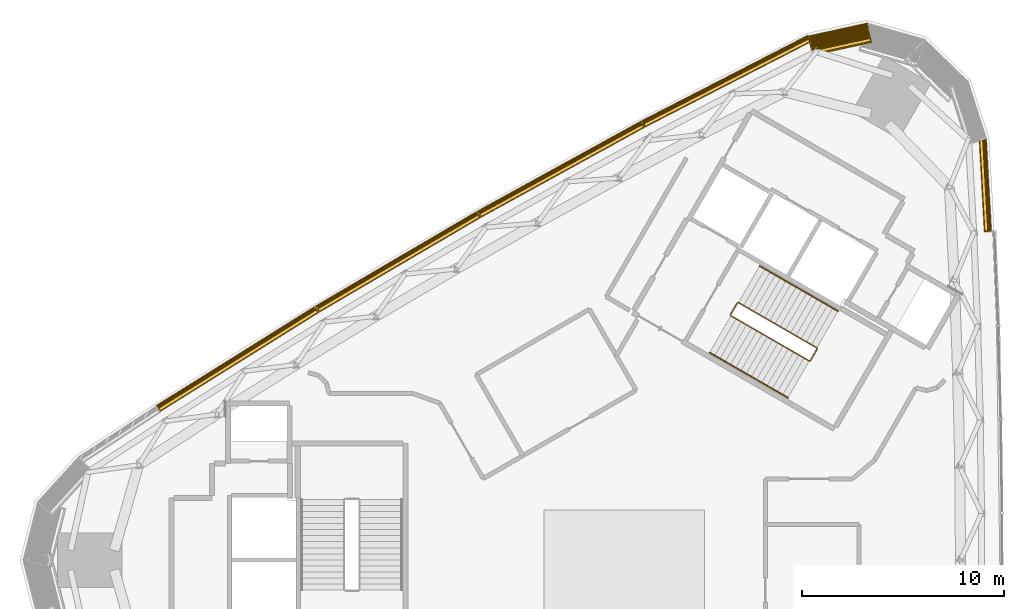
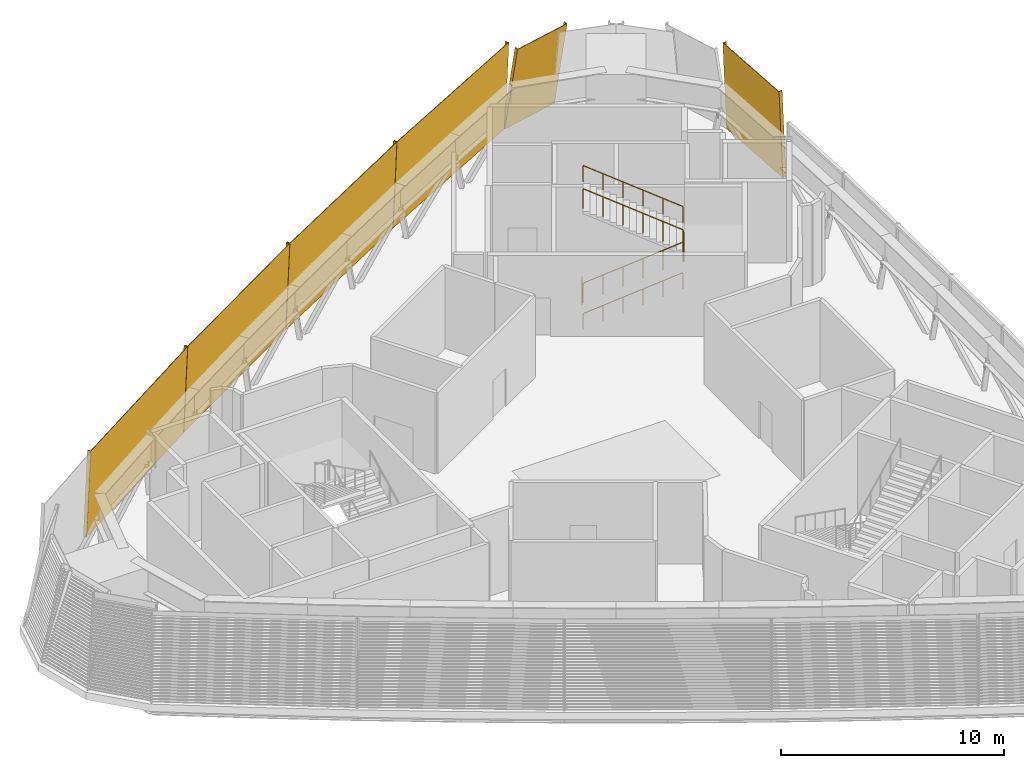
# One storey, part 17 of 18: 6 coverings, 3 railings.
"""IFC4 building model written with IfcOpenShell, lengths in metres."""

from ifc_helpers import new_model, si_unit, direction, frame, frame_2d, origin, origin_2d, place, context, subcontext, project, spatial, rectangle, circle, extrude, source, transform, mapped, material, type_object, element, save


model = new_model("IFC4")

# Units and contexts
model_context = context("Model", 3, precision=1e-05, world=origin(), true_north=direction((0.0, 1.0)))
body_context = subcontext(model_context, "Body", "Model", "MODEL_VIEW")
ifc_project = project(units=[si_unit("LENGTHUNIT", "METRE"), si_unit("AREAUNIT", "SQUARE_METRE"), si_unit("VOLUMEUNIT", "CUBIC_METRE"), si_unit("PLANEANGLEUNIT", "RADIAN"), si_unit("MASSUNIT", "GRAM", prefix="KILO")], contexts=[model_context])

# Site, building, storey
site_placement = place(None, origin())
site = spatial("IfcSite", under=ifc_project, at=site_placement, CompositionType="ELEMENT")
building_placement = place(site_placement, origin())
building = spatial("IfcBuilding", under=site, at=building_placement, Name="Tamra Quay Hotel Tower", CompositionType="ELEMENT")
storey_placement = place(building_placement, frame((0.0, 0.0, 211.60009765625)))
storey = spatial("IfcBuildingStorey", under=building, at=storey_placement, Name="L53", CompositionType="ELEMENT", Elevation=211.60009765625)

# Railings
ifc_material_1 = material(Name="Stair guard 1100")
railing_type_1 = type_object("IfcRailingType", Name="Stair guard 1100", PredefinedType="GUARDRAIL", material=ifc_material_1)
railing_1_placement = place(storey_placement, frame((5.595458984375, 12.751953125, 0.0)))
element("IfcRailing", 1, at=railing_1_placement, inside=storey, type_object=railing_type_1, Name="GR", PredefinedType="GUARDRAIL", context=body_context, shape_type="SweptSolid", body=[
    extrude(circle(Radius=0.02392578125, at=origin_2d()), frame((0.0, 0.0, 1.076171875), z_axis=(-0.499765215335, -0.866160914346, 0.0), x_axis=(0.866160914346, -0.499765215335, 0.0)), (0.0, 0.0, 1.0), 0.658935546875),
    extrude(circle(Radius=0.02392578125, at=origin_2d()), frame((-0.329345703125, -0.57080078125, 1.076171875), z_axis=(0.110525977783, -0.411156637351, 0.904839338113), x_axis=(0.965715946433, 0.259601060869, 0.0)), (0.0, 0.0, 1.0), 0.165771484375),
    extrude(circle(Radius=0.02392578125, at=origin_2d()), frame((-0.31103515625, -0.638916015625, 1.22607421875), z_axis=(0.774058831731, -0.446948546627, 0.448408208764), x_axis=(0.500038154266, 0.866003374288, 0.0)), (0.0, 0.0, 1.0), 5.017822265625),
    extrude(circle(Radius=0.02392578125, at=origin_2d()), frame((3.572998046875, -2.881591796875, 3.47607421875), z_axis=(0.965948051503, 0.258736085224, 0.0), x_axis=(-0.258736085224, 0.965948051503, 0.0)), (0.0, 0.0, 1.0), 0.07080078125),
    extrude(circle(Radius=0.02392578125, at=origin_2d()), frame((3.641357421875, -2.86328125, 3.47607421875), z_axis=(0.499765215335, 0.866160914346, 0.0), x_axis=(-0.866160914346, 0.499765215335, 0.0)), (0.0, 0.0, 1.0), 0.658935546875),
    extrude(circle(Radius=0.02392578125, at=origin_2d()), frame((3.970703125, -2.29248046875, 3.47607421875), z_axis=(-0.110458949641, 0.41238007866, 0.904290601062), x_axis=(-0.965948051503, -0.258736085224, 0.0)), (0.0, 0.0, 1.0), 0.165771484375),
    extrude(circle(Radius=0.02392578125, at=origin_2d()), frame((3.952392578125, -2.22412109375, 3.6259765625), z_axis=(-0.774075664405, 0.446909609502, 0.448417959844), x_axis=(-0.499997328569, -0.86602694613, 0.0)), (0.0, 0.0, 1.0), 5.017578125),
    extrude(circle(Radius=0.02099609375, at=origin_2d()), origin(), (0.0, 0.0, 1.0), 1.052001953125),
    extrude(circle(Radius=0.02099609375, at=origin_2d()), frame((-0.329345703125, -0.57080078125, 0.0)), (0.0, 0.0, 1.0), 1.052001953125),
    extrude(circle(Radius=0.02099609375, at=origin_2d()), frame((-0.31103515625, -0.638916015625, 0.14990234375)), (0.0, 0.0, 1.0), 1.052001953125),
    extrude(circle(Radius=0.02099609375, at=origin_2d()), frame((0.4658203125, -1.08740234375, 0.599853515625)), (0.0, 0.0, 1.0), 1.052001953125),
    extrude(circle(Radius=0.02099609375, at=origin_2d()), frame((1.24267578125, -1.535888671875, 1.0498046875)), (0.0, 0.0, 1.0), 1.052001953125),
    extrude(circle(Radius=0.02099609375, at=origin_2d()), frame((2.019287109375, -1.984619140625, 1.5)), (0.0, 0.0, 1.0), 1.052001953125),
    extrude(circle(Radius=0.02099609375, at=origin_2d()), frame((2.796142578125, -2.43310546875, 1.949951171875)), (0.0, 0.0, 1.0), 1.052001953125),
    extrude(circle(Radius=0.02099609375, at=origin_2d()), frame((3.572998046875, -2.881591796875, 2.39990234375)), (0.0, 0.0, 1.0), 1.052001953125),
    extrude(circle(Radius=0.02099609375, at=origin_2d()), frame((3.641357421875, -2.86328125, 2.39990234375)), (0.0, 0.0, 1.0), 1.052001953125),
    extrude(circle(Radius=0.02099609375, at=origin_2d()), frame((3.970703125, -2.29248046875, 2.39990234375)), (0.0, 0.0, 1.0), 1.052001953125),
    extrude(circle(Radius=0.02099609375, at=origin_2d()), frame((3.952392578125, -2.22412109375, 2.5498046875)), (0.0, 0.0, 1.0), 1.052001953125),
    extrude(circle(Radius=0.02099609375, at=origin_2d()), frame((3.175537109375, -1.775634765625, 2.999755859375)), (0.0, 0.0, 1.0), 1.052001953125),
    extrude(circle(Radius=0.02099609375, at=origin_2d()), frame((2.398681640625, -1.3271484375, 3.44970703125)), (0.0, 0.0, 1.0), 1.052001953125),
    extrude(circle(Radius=0.02099609375, at=origin_2d()), frame((1.6220703125, -0.878662109375, 3.89990234375)), (0.0, 0.0, 1.0), 1.052001953125),
    extrude(circle(Radius=0.02099609375, at=origin_2d()), frame((0.84521484375, -0.43017578125, 4.349853515625)), (0.0, 0.0, 1.0), 1.052001953125),
    extrude(circle(Radius=0.02099609375, at=origin_2d()), frame((0.068359375, 0.018310546875, 4.7998046875)), (0.0, 0.0, 1.0), 1.052001953125),
])
ifc_material_2 = material(Name="Stair handrail 900")
railing_type_2 = type_object("IfcRailingType", Name="Stair handrail 900", PredefinedType="HANDRAIL", material=ifc_material_2)
railing_2_placement = place(storey_placement, frame((4.234375, 10.294189453125, 0.14990234375)))
element("IfcRailing", 2, at=railing_2_placement, inside=storey, type_object=railing_type_2, Name="HR", PredefinedType="HANDRAIL", context=body_context, shape_type="SweptSolid", body=[
    extrude(circle(Radius=0.02392578125, at=origin_2d()), frame((0.0, 0.0, 0.8759765625), z_axis=(0.774075664405, -0.446909609502, 0.448417959844), x_axis=(0.499997328569, 0.86602694613, 0.0)), (0.0, 0.0, 1.0), 5.017578125),
    extrude(circle(Radius=0.02099609375, at=origin_2d()), origin(), (0.0, 0.0, 1.0), 0.851806640625),
    extrude(circle(Radius=0.02099609375, at=origin_2d()), frame((0.77685546875, -0.448486328125, 0.449951171875)), (0.0, 0.0, 1.0), 0.851806640625),
    extrude(circle(Radius=0.02099609375, at=origin_2d()), frame((1.5537109375, -0.89697265625, 0.89990234375)), (0.0, 0.0, 1.0), 0.851806640625),
    extrude(circle(Radius=0.02099609375, at=origin_2d()), frame((2.330322265625, -1.345458984375, 1.35009765625)), (0.0, 0.0, 1.0), 0.851806640625),
    extrude(circle(Radius=0.02099609375, at=origin_2d()), frame((3.107177734375, -1.7939453125, 1.800048828125)), (0.0, 0.0, 1.0), 0.851806640625),
    extrude(circle(Radius=0.02099609375, at=origin_2d()), frame((3.884033203125, -2.242431640625, 2.25)), (0.0, 0.0, 1.0), 0.851806640625),
])
railing_3_placement = place(storey_placement, frame((10.597900390625, 12.346435546875, 2.5498046875)))
element("IfcRailing", 3, at=railing_3_placement, inside=storey, type_object=railing_type_2, Name="HR", PredefinedType="HANDRAIL", context=body_context, shape_type="SweptSolid", body=[
    extrude(circle(Radius=0.02392578125, at=origin_2d()), frame((0.0, 0.0, 0.8759765625), z_axis=(-0.774075664405, 0.446909609502, 0.448417959844), x_axis=(-0.499997328569, -0.86602694613, 0.0)), (0.0, 0.0, 1.0), 5.017578125),
    extrude(circle(Radius=0.02099609375, at=origin_2d()), origin(), (0.0, 0.0, 1.0), 0.851806640625),
    extrude(circle(Radius=0.02099609375, at=origin_2d()), frame((-0.77685546875, 0.448486328125, 0.449951171875)), (0.0, 0.0, 1.0), 0.851806640625),
    extrude(circle(Radius=0.02099609375, at=origin_2d()), frame((-1.5537109375, 0.89697265625, 0.89990234375)), (0.0, 0.0, 1.0), 0.851806640625),
    extrude(circle(Radius=0.02099609375, at=origin_2d()), frame((-2.330322265625, 1.345458984375, 1.35009765625)), (0.0, 0.0, 1.0), 0.851806640625),
    extrude(circle(Radius=0.02099609375, at=origin_2d()), frame((-3.107177734375, 1.7939453125, 1.800048828125)), (0.0, 0.0, 1.0), 0.851806640625),
    extrude(circle(Radius=0.02099609375, at=origin_2d()), frame((-3.884033203125, 2.242431640625, 2.25)), (0.0, 0.0, 1.0), 0.851806640625),
])

# Coverings
ifc_material_3 = material(Name="Terracotta louvre panel", Category="masonry")
covering_type_1 = type_object("IfcCoveringType", Name="PLANT LOUVRE H4805", PredefinedType="USERDEFINED", material=ifc_material_3)
shared_shape_1 = source(origin(), body_context, "Body", "SweptSolid", [
    extrude(rectangle(XDim=4.6201171875, YDim=0.030029296875, at=frame_2d((2.31005859375, 0.01513671875))), frame((-2.31005859375, -0.030029296875, 0.0)), (0.0, 0.0, 1.0), 4.804931640625),
    extrude(rectangle(XDim=0.050048828125, YDim=0.139892578125, at=frame_2d((0.02490234375, 0.06982421875))), frame((-2.31005859375, -0.169921875, 0.0)), (0.0, 0.0, 1.0), 4.804931640625),
    extrude(rectangle(XDim=0.050048828125, YDim=0.139892578125, at=frame_2d((0.02490234375, 0.06982421875))), frame((2.260009765625, -0.169921875, 0.0)), (0.0, 0.0, 1.0), 4.804931640625),
    extrude(rectangle(XDim=4.52001953125, YDim=0.139892578125, at=frame_2d((2.260009765625, 0.06982421875))), frame((-2.260009765625, -0.169921875, 0.050048828125)), (0.0, 0.0, 1.0), 0.034912109375),
    extrude(rectangle(XDim=4.52001953125, YDim=0.139892578125, at=frame_2d((2.260009765625, 0.06982421875))), frame((-2.260009765625, -0.169921875, 0.2099609375)), (0.0, 0.0, 1.0), 0.034912109375),
    extrude(rectangle(XDim=4.52001953125, YDim=0.139892578125, at=frame_2d((2.260009765625, 0.06982421875))), frame((-2.260009765625, -0.169921875, 0.3701171875)), (0.0, 0.0, 1.0), 0.034912109375),
    extrude(rectangle(XDim=4.52001953125, YDim=0.139892578125, at=frame_2d((2.260009765625, 0.06982421875))), frame((-2.260009765625, -0.169921875, 0.530029296875)), (0.0, 0.0, 1.0), 0.034912109375),
    extrude(rectangle(XDim=4.52001953125, YDim=0.139892578125, at=frame_2d((2.260009765625, 0.06982421875))), frame((-2.260009765625, -0.169921875, 0.68994140625)), (0.0, 0.0, 1.0), 0.034912109375),
    extrude(rectangle(XDim=4.52001953125, YDim=0.139892578125, at=frame_2d((2.260009765625, 0.06982421875))), frame((-2.260009765625, -0.169921875, 0.85009765625)), (0.0, 0.0, 1.0), 0.034912109375),
    extrude(rectangle(XDim=4.52001953125, YDim=0.139892578125, at=frame_2d((2.260009765625, 0.06982421875))), frame((-2.260009765625, -0.169921875, 1.010009765625)), (0.0, 0.0, 1.0), 0.034912109375),
    extrude(rectangle(XDim=4.52001953125, YDim=0.139892578125, at=frame_2d((2.260009765625, 0.06982421875))), frame((-2.260009765625, -0.169921875, 1.169921875)), (0.0, 0.0, 1.0), 0.034912109375),
    extrude(rectangle(XDim=4.52001953125, YDim=0.139892578125, at=frame_2d((2.260009765625, 0.06982421875))), frame((-2.260009765625, -0.169921875, 1.330078125)), (0.0, 0.0, 1.0), 0.034912109375),
    extrude(rectangle(XDim=4.52001953125, YDim=0.139892578125, at=frame_2d((2.260009765625, 0.06982421875))), frame((-2.260009765625, -0.169921875, 1.489990234375)), (0.0, 0.0, 1.0), 0.034912109375),
    extrude(rectangle(XDim=4.52001953125, YDim=0.139892578125, at=frame_2d((2.260009765625, 0.06982421875))), frame((-2.260009765625, -0.169921875, 1.64990234375)), (0.0, 0.0, 1.0), 0.034912109375),
    extrude(rectangle(XDim=4.52001953125, YDim=0.139892578125, at=frame_2d((2.260009765625, 0.06982421875))), frame((-2.260009765625, -0.169921875, 1.81005859375)), (0.0, 0.0, 1.0), 0.034912109375),
    extrude(rectangle(XDim=4.52001953125, YDim=0.139892578125, at=frame_2d((2.260009765625, 0.06982421875))), frame((-2.260009765625, -0.169921875, 1.969970703125)), (0.0, 0.0, 1.0), 0.034912109375),
    extrude(rectangle(XDim=4.52001953125, YDim=0.139892578125, at=frame_2d((2.260009765625, 0.06982421875))), frame((-2.260009765625, -0.169921875, 2.1298828125)), (0.0, 0.0, 1.0), 0.034912109375),
    extrude(rectangle(XDim=4.52001953125, YDim=0.139892578125, at=frame_2d((2.260009765625, 0.06982421875))), frame((-2.260009765625, -0.169921875, 2.2900390625)), (0.0, 0.0, 1.0), 0.034912109375),
    extrude(rectangle(XDim=4.52001953125, YDim=0.139892578125, at=frame_2d((2.260009765625, 0.06982421875))), frame((-2.260009765625, -0.169921875, 2.449951171875)), (0.0, 0.0, 1.0), 0.034912109375),
    extrude(rectangle(XDim=4.52001953125, YDim=0.139892578125, at=frame_2d((2.260009765625, 0.06982421875))), frame((-2.260009765625, -0.169921875, 2.610107421875)), (0.0, 0.0, 1.0), 0.034912109375),
    extrude(rectangle(XDim=4.52001953125, YDim=0.139892578125, at=frame_2d((2.260009765625, 0.06982421875))), frame((-2.260009765625, -0.169921875, 2.77001953125)), (0.0, 0.0, 1.0), 0.034912109375),
    extrude(rectangle(XDim=4.52001953125, YDim=0.139892578125, at=frame_2d((2.260009765625, 0.06982421875))), frame((-2.260009765625, -0.169921875, 2.929931640625)), (0.0, 0.0, 1.0), 0.034912109375),
    extrude(rectangle(XDim=4.52001953125, YDim=0.139892578125, at=frame_2d((2.260009765625, 0.06982421875))), frame((-2.260009765625, -0.169921875, 3.090087890625)), (0.0, 0.0, 1.0), 0.034912109375),
    extrude(rectangle(XDim=4.52001953125, YDim=0.139892578125, at=frame_2d((2.260009765625, 0.06982421875))), frame((-2.260009765625, -0.169921875, 3.25)), (0.0, 0.0, 1.0), 0.034912109375),
    extrude(rectangle(XDim=4.52001953125, YDim=0.139892578125, at=frame_2d((2.260009765625, 0.06982421875))), frame((-2.260009765625, -0.169921875, 3.409912109375)), (0.0, 0.0, 1.0), 0.034912109375),
    extrude(rectangle(XDim=4.52001953125, YDim=0.139892578125, at=frame_2d((2.260009765625, 0.06982421875))), frame((-2.260009765625, -0.169921875, 3.570068359375)), (0.0, 0.0, 1.0), 0.034912109375),
    extrude(rectangle(XDim=4.52001953125, YDim=0.139892578125, at=frame_2d((2.260009765625, 0.06982421875))), frame((-2.260009765625, -0.169921875, 3.72998046875)), (0.0, 0.0, 1.0), 0.034912109375),
    extrude(rectangle(XDim=4.52001953125, YDim=0.139892578125, at=frame_2d((2.260009765625, 0.06982421875))), frame((-2.260009765625, -0.169921875, 3.889892578125)), (0.0, 0.0, 1.0), 0.034912109375),
    extrude(rectangle(XDim=4.52001953125, YDim=0.139892578125, at=frame_2d((2.260009765625, 0.06982421875))), frame((-2.260009765625, -0.169921875, 4.050048828125)), (0.0, 0.0, 1.0), 0.034912109375),
    extrude(rectangle(XDim=4.52001953125, YDim=0.139892578125, at=frame_2d((2.260009765625, 0.06982421875))), frame((-2.260009765625, -0.169921875, 4.2099609375)), (0.0, 0.0, 1.0), 0.034912109375),
    extrude(rectangle(XDim=4.52001953125, YDim=0.139892578125, at=frame_2d((2.260009765625, 0.06982421875))), frame((-2.260009765625, -0.169921875, 4.3701171875)), (0.0, 0.0, 1.0), 0.034912109375),
    extrude(rectangle(XDim=4.52001953125, YDim=0.139892578125, at=frame_2d((2.260009765625, 0.06982421875))), frame((-2.260009765625, -0.169921875, 4.530029296875)), (0.0, 0.0, 1.0), 0.034912109375),
])
covering_1_placement = place(storey_placement, frame((17.92333984375, 18.580810546875, 0.0), z_axis=(-0.043552356237, -0.002417275389, 0.999048221582), x_axis=(-0.055417453918, 0.998463272134, 0.0)))
element("IfcCovering", 4, at=covering_1_placement, inside=storey, type_object=covering_type_1, Name="Plant louvre L53.E.f08", ObjectType="LOUVER", PredefinedType="USERDEFINED", context=body_context, shape_type="MappedRepresentation", body=[
    mapped(shared_shape_1, transform((0.0, 0.0, 0.0), scale=1.0)),
])
covering_type_2 = type_object("IfcCoveringType", Name="PLANT LOUVRE H4874", PredefinedType="USERDEFINED", material=ifc_material_3)
shared_shape_2 = source(origin(), body_context, "Body", "SweptSolid", [
    extrude(rectangle(XDim=3.02001953125, YDim=0.030029296875, at=frame_2d((1.510009765625, 0.01513671875))), frame((-1.510009765625, -0.030029296875, 0.0)), (0.0, 0.0, 1.0), 4.8740234375),
    extrude(rectangle(XDim=0.050048828125, YDim=0.139892578125, at=frame_2d((0.02490234375, 0.06982421875))), frame((-1.510009765625, -0.169921875, 0.0)), (0.0, 0.0, 1.0), 4.8740234375),
    extrude(rectangle(XDim=0.050048828125, YDim=0.139892578125, at=frame_2d((0.02490234375, 0.06982421875))), frame((1.4599609375, -0.169921875, 0.0)), (0.0, 0.0, 1.0), 4.8740234375),
    extrude(rectangle(XDim=2.919921875, YDim=0.139892578125, at=frame_2d((1.4599609375, 0.06982421875))), frame((-1.4599609375, -0.169921875, 0.050048828125)), (0.0, 0.0, 1.0), 0.034912109375),
    extrude(rectangle(XDim=2.919921875, YDim=0.139892578125, at=frame_2d((1.4599609375, 0.06982421875))), frame((-1.4599609375, -0.169921875, 0.2099609375)), (0.0, 0.0, 1.0), 0.034912109375),
    extrude(rectangle(XDim=2.919921875, YDim=0.139892578125, at=frame_2d((1.4599609375, 0.06982421875))), frame((-1.4599609375, -0.169921875, 0.3701171875)), (0.0, 0.0, 1.0), 0.034912109375),
    extrude(rectangle(XDim=2.919921875, YDim=0.139892578125, at=frame_2d((1.4599609375, 0.06982421875))), frame((-1.4599609375, -0.169921875, 0.530029296875)), (0.0, 0.0, 1.0), 0.034912109375),
    extrude(rectangle(XDim=2.919921875, YDim=0.139892578125, at=frame_2d((1.4599609375, 0.06982421875))), frame((-1.4599609375, -0.169921875, 0.68994140625)), (0.0, 0.0, 1.0), 0.034912109375),
    extrude(rectangle(XDim=2.919921875, YDim=0.139892578125, at=frame_2d((1.4599609375, 0.06982421875))), frame((-1.4599609375, -0.169921875, 0.85009765625)), (0.0, 0.0, 1.0), 0.034912109375),
    extrude(rectangle(XDim=2.919921875, YDim=0.139892578125, at=frame_2d((1.4599609375, 0.06982421875))), frame((-1.4599609375, -0.169921875, 1.010009765625)), (0.0, 0.0, 1.0), 0.034912109375),
    extrude(rectangle(XDim=2.919921875, YDim=0.139892578125, at=frame_2d((1.4599609375, 0.06982421875))), frame((-1.4599609375, -0.169921875, 1.169921875)), (0.0, 0.0, 1.0), 0.034912109375),
    extrude(rectangle(XDim=2.919921875, YDim=0.139892578125, at=frame_2d((1.4599609375, 0.06982421875))), frame((-1.4599609375, -0.169921875, 1.330078125)), (0.0, 0.0, 1.0), 0.034912109375),
    extrude(rectangle(XDim=2.919921875, YDim=0.139892578125, at=frame_2d((1.4599609375, 0.06982421875))), frame((-1.4599609375, -0.169921875, 1.489990234375)), (0.0, 0.0, 1.0), 0.034912109375),
    extrude(rectangle(XDim=2.919921875, YDim=0.139892578125, at=frame_2d((1.4599609375, 0.06982421875))), frame((-1.4599609375, -0.169921875, 1.64990234375)), (0.0, 0.0, 1.0), 0.034912109375),
    extrude(rectangle(XDim=2.919921875, YDim=0.139892578125, at=frame_2d((1.4599609375, 0.06982421875))), frame((-1.4599609375, -0.169921875, 1.81005859375)), (0.0, 0.0, 1.0), 0.034912109375),
    extrude(rectangle(XDim=2.919921875, YDim=0.139892578125, at=frame_2d((1.4599609375, 0.06982421875))), frame((-1.4599609375, -0.169921875, 1.969970703125)), (0.0, 0.0, 1.0), 0.034912109375),
    extrude(rectangle(XDim=2.919921875, YDim=0.139892578125, at=frame_2d((1.4599609375, 0.06982421875))), frame((-1.4599609375, -0.169921875, 2.1298828125)), (0.0, 0.0, 1.0), 0.034912109375),
    extrude(rectangle(XDim=2.919921875, YDim=0.139892578125, at=frame_2d((1.4599609375, 0.06982421875))), frame((-1.4599609375, -0.169921875, 2.2900390625)), (0.0, 0.0, 1.0), 0.034912109375),
    extrude(rectangle(XDim=2.919921875, YDim=0.139892578125, at=frame_2d((1.4599609375, 0.06982421875))), frame((-1.4599609375, -0.169921875, 2.449951171875)), (0.0, 0.0, 1.0), 0.034912109375),
    extrude(rectangle(XDim=2.919921875, YDim=0.139892578125, at=frame_2d((1.4599609375, 0.06982421875))), frame((-1.4599609375, -0.169921875, 2.610107421875)), (0.0, 0.0, 1.0), 0.034912109375),
    extrude(rectangle(XDim=2.919921875, YDim=0.139892578125, at=frame_2d((1.4599609375, 0.06982421875))), frame((-1.4599609375, -0.169921875, 2.77001953125)), (0.0, 0.0, 1.0), 0.034912109375),
    extrude(rectangle(XDim=2.919921875, YDim=0.139892578125, at=frame_2d((1.4599609375, 0.06982421875))), frame((-1.4599609375, -0.169921875, 2.929931640625)), (0.0, 0.0, 1.0), 0.034912109375),
    extrude(rectangle(XDim=2.919921875, YDim=0.139892578125, at=frame_2d((1.4599609375, 0.06982421875))), frame((-1.4599609375, -0.169921875, 3.090087890625)), (0.0, 0.0, 1.0), 0.034912109375),
    extrude(rectangle(XDim=2.919921875, YDim=0.139892578125, at=frame_2d((1.4599609375, 0.06982421875))), frame((-1.4599609375, -0.169921875, 3.25)), (0.0, 0.0, 1.0), 0.034912109375),
    extrude(rectangle(XDim=2.919921875, YDim=0.139892578125, at=frame_2d((1.4599609375, 0.06982421875))), frame((-1.4599609375, -0.169921875, 3.409912109375)), (0.0, 0.0, 1.0), 0.034912109375),
    extrude(rectangle(XDim=2.919921875, YDim=0.139892578125, at=frame_2d((1.4599609375, 0.06982421875))), frame((-1.4599609375, -0.169921875, 3.570068359375)), (0.0, 0.0, 1.0), 0.034912109375),
    extrude(rectangle(XDim=2.919921875, YDim=0.139892578125, at=frame_2d((1.4599609375, 0.06982421875))), frame((-1.4599609375, -0.169921875, 3.72998046875)), (0.0, 0.0, 1.0), 0.034912109375),
    extrude(rectangle(XDim=2.919921875, YDim=0.139892578125, at=frame_2d((1.4599609375, 0.06982421875))), frame((-1.4599609375, -0.169921875, 3.889892578125)), (0.0, 0.0, 1.0), 0.034912109375),
    extrude(rectangle(XDim=2.919921875, YDim=0.139892578125, at=frame_2d((1.4599609375, 0.06982421875))), frame((-1.4599609375, -0.169921875, 4.050048828125)), (0.0, 0.0, 1.0), 0.034912109375),
    extrude(rectangle(XDim=2.919921875, YDim=0.139892578125, at=frame_2d((1.4599609375, 0.06982421875))), frame((-1.4599609375, -0.169921875, 4.2099609375)), (0.0, 0.0, 1.0), 0.034912109375),
    extrude(rectangle(XDim=2.919921875, YDim=0.139892578125, at=frame_2d((1.4599609375, 0.06982421875))), frame((-1.4599609375, -0.169921875, 4.3701171875)), (0.0, 0.0, 1.0), 0.034912109375),
    extrude(rectangle(XDim=2.919921875, YDim=0.139892578125, at=frame_2d((1.4599609375, 0.06982421875))), frame((-1.4599609375, -0.169921875, 4.530029296875)), (0.0, 0.0, 1.0), 0.034912109375),
])
covering_2_placement = place(storey_placement, frame((10.623046875, 26.162353515625, 0.0), z_axis=(0.037103196165, -0.169637974644, 0.984807753012), x_axis=(-0.976906161202, -0.213668790904, 0.0)))
element("IfcCovering", 5, at=covering_2_placement, inside=storey, type_object=covering_type_2, Name="Plant louvre L53.E.c03", ObjectType="LOUVER", PredefinedType="USERDEFINED", context=body_context, shape_type="MappedRepresentation", body=[
    mapped(shared_shape_2, transform((0.0, 0.0, 0.0), scale=1.0)),
])
shared_shape_3 = source(origin(), body_context, "Body", "SweptSolid", [
    extrude(rectangle(XDim=9.280029296875, YDim=0.030029296875, at=frame_2d((4.64013671875, 0.01513671875))), frame((-4.639892578125, -0.030029296875, 0.0)), (0.0, 0.0, 1.0), 4.804931640625),
    extrude(rectangle(XDim=0.050048828125, YDim=0.139892578125, at=frame_2d((0.02490234375, 0.06982421875))), frame((-4.639892578125, -0.169921875, 0.0)), (0.0, 0.0, 1.0), 4.804931640625),
    extrude(rectangle(XDim=0.050048828125, YDim=0.139892578125, at=frame_2d((0.02490234375, 0.06982421875))), frame((4.590087890625, -0.169921875, 0.0)), (0.0, 0.0, 1.0), 4.804931640625),
    extrude(rectangle(XDim=9.179931640625, YDim=0.139892578125, at=frame_2d((4.58984375, 0.06982421875))), frame((-4.590087890625, -0.169921875, 0.050048828125)), (0.0, 0.0, 1.0), 0.034912109375),
    extrude(rectangle(XDim=9.179931640625, YDim=0.139892578125, at=frame_2d((4.58984375, 0.06982421875))), frame((-4.590087890625, -0.169921875, 0.2099609375)), (0.0, 0.0, 1.0), 0.034912109375),
    extrude(rectangle(XDim=9.179931640625, YDim=0.139892578125, at=frame_2d((4.58984375, 0.06982421875))), frame((-4.590087890625, -0.169921875, 0.3701171875)), (0.0, 0.0, 1.0), 0.034912109375),
    extrude(rectangle(XDim=9.179931640625, YDim=0.139892578125, at=frame_2d((4.58984375, 0.06982421875))), frame((-4.590087890625, -0.169921875, 0.530029296875)), (0.0, 0.0, 1.0), 0.034912109375),
    extrude(rectangle(XDim=9.179931640625, YDim=0.139892578125, at=frame_2d((4.58984375, 0.06982421875))), frame((-4.590087890625, -0.169921875, 0.68994140625)), (0.0, 0.0, 1.0), 0.034912109375),
    extrude(rectangle(XDim=9.179931640625, YDim=0.139892578125, at=frame_2d((4.58984375, 0.06982421875))), frame((-4.590087890625, -0.169921875, 0.85009765625)), (0.0, 0.0, 1.0), 0.034912109375),
    extrude(rectangle(XDim=9.179931640625, YDim=0.139892578125, at=frame_2d((4.58984375, 0.06982421875))), frame((-4.590087890625, -0.169921875, 1.010009765625)), (0.0, 0.0, 1.0), 0.034912109375),
    extrude(rectangle(XDim=9.179931640625, YDim=0.139892578125, at=frame_2d((4.58984375, 0.06982421875))), frame((-4.590087890625, -0.169921875, 1.169921875)), (0.0, 0.0, 1.0), 0.034912109375),
    extrude(rectangle(XDim=9.179931640625, YDim=0.139892578125, at=frame_2d((4.58984375, 0.06982421875))), frame((-4.590087890625, -0.169921875, 1.330078125)), (0.0, 0.0, 1.0), 0.034912109375),
    extrude(rectangle(XDim=9.179931640625, YDim=0.139892578125, at=frame_2d((4.58984375, 0.06982421875))), frame((-4.590087890625, -0.169921875, 1.489990234375)), (0.0, 0.0, 1.0), 0.034912109375),
    extrude(rectangle(XDim=9.179931640625, YDim=0.139892578125, at=frame_2d((4.58984375, 0.06982421875))), frame((-4.590087890625, -0.169921875, 1.64990234375)), (0.0, 0.0, 1.0), 0.034912109375),
    extrude(rectangle(XDim=9.179931640625, YDim=0.139892578125, at=frame_2d((4.58984375, 0.06982421875))), frame((-4.590087890625, -0.169921875, 1.81005859375)), (0.0, 0.0, 1.0), 0.034912109375),
    extrude(rectangle(XDim=9.179931640625, YDim=0.139892578125, at=frame_2d((4.58984375, 0.06982421875))), frame((-4.590087890625, -0.169921875, 1.969970703125)), (0.0, 0.0, 1.0), 0.034912109375),
    extrude(rectangle(XDim=9.179931640625, YDim=0.139892578125, at=frame_2d((4.58984375, 0.06982421875))), frame((-4.590087890625, -0.169921875, 2.1298828125)), (0.0, 0.0, 1.0), 0.034912109375),
    extrude(rectangle(XDim=9.179931640625, YDim=0.139892578125, at=frame_2d((4.58984375, 0.06982421875))), frame((-4.590087890625, -0.169921875, 2.2900390625)), (0.0, 0.0, 1.0), 0.034912109375),
    extrude(rectangle(XDim=9.179931640625, YDim=0.139892578125, at=frame_2d((4.58984375, 0.06982421875))), frame((-4.590087890625, -0.169921875, 2.449951171875)), (0.0, 0.0, 1.0), 0.034912109375),
    extrude(rectangle(XDim=9.179931640625, YDim=0.139892578125, at=frame_2d((4.58984375, 0.06982421875))), frame((-4.590087890625, -0.169921875, 2.610107421875)), (0.0, 0.0, 1.0), 0.034912109375),
    extrude(rectangle(XDim=9.179931640625, YDim=0.139892578125, at=frame_2d((4.58984375, 0.06982421875))), frame((-4.590087890625, -0.169921875, 2.77001953125)), (0.0, 0.0, 1.0), 0.034912109375),
    extrude(rectangle(XDim=9.179931640625, YDim=0.139892578125, at=frame_2d((4.58984375, 0.06982421875))), frame((-4.590087890625, -0.169921875, 2.929931640625)), (0.0, 0.0, 1.0), 0.034912109375),
    extrude(rectangle(XDim=9.179931640625, YDim=0.139892578125, at=frame_2d((4.58984375, 0.06982421875))), frame((-4.590087890625, -0.169921875, 3.090087890625)), (0.0, 0.0, 1.0), 0.034912109375),
    extrude(rectangle(XDim=9.179931640625, YDim=0.139892578125, at=frame_2d((4.58984375, 0.06982421875))), frame((-4.590087890625, -0.169921875, 3.25)), (0.0, 0.0, 1.0), 0.034912109375),
    extrude(rectangle(XDim=9.179931640625, YDim=0.139892578125, at=frame_2d((4.58984375, 0.06982421875))), frame((-4.590087890625, -0.169921875, 3.409912109375)), (0.0, 0.0, 1.0), 0.034912109375),
    extrude(rectangle(XDim=9.179931640625, YDim=0.139892578125, at=frame_2d((4.58984375, 0.06982421875))), frame((-4.590087890625, -0.169921875, 3.570068359375)), (0.0, 0.0, 1.0), 0.034912109375),
    extrude(rectangle(XDim=9.179931640625, YDim=0.139892578125, at=frame_2d((4.58984375, 0.06982421875))), frame((-4.590087890625, -0.169921875, 3.72998046875)), (0.0, 0.0, 1.0), 0.034912109375),
    extrude(rectangle(XDim=9.179931640625, YDim=0.139892578125, at=frame_2d((4.58984375, 0.06982421875))), frame((-4.590087890625, -0.169921875, 3.889892578125)), (0.0, 0.0, 1.0), 0.034912109375),
    extrude(rectangle(XDim=9.179931640625, YDim=0.139892578125, at=frame_2d((4.58984375, 0.06982421875))), frame((-4.590087890625, -0.169921875, 4.050048828125)), (0.0, 0.0, 1.0), 0.034912109375),
    extrude(rectangle(XDim=9.179931640625, YDim=0.139892578125, at=frame_2d((4.58984375, 0.06982421875))), frame((-4.590087890625, -0.169921875, 4.2099609375)), (0.0, 0.0, 1.0), 0.034912109375),
    extrude(rectangle(XDim=9.179931640625, YDim=0.139892578125, at=frame_2d((4.58984375, 0.06982421875))), frame((-4.590087890625, -0.169921875, 4.3701171875)), (0.0, 0.0, 1.0), 0.034912109375),
    extrude(rectangle(XDim=9.179931640625, YDim=0.139892578125, at=frame_2d((4.58984375, 0.06982421875))), frame((-4.590087890625, -0.169921875, 4.530029296875)), (0.0, 0.0, 1.0), 0.034912109375),
])
for number, where, z_axis, x_axis, name in (
    (6, (5.055908203125, 23.763916015625, 0.0), (0.019951531927, -0.038789010401, 0.999048221582), (-0.889260779296, -0.457400553569, 0.0), "Plant louvre L53.NW.f00"),
    (7, (-3.150146484375, 19.398193359375, 0.0), (0.021018483552, -0.038221385418, 0.999048221582), (-0.876247644153, -0.481861044406, 0.0), "Plant louvre L53.NW.f02"),
    (8, (-11.23193359375, 14.806640625, 0.0), (0.022071443165, -0.037623162424, 0.999048221582), (-0.862533031666, -0.506000760162, 0.0), "Plant louvre L53.NW.f04"),
    (9, (-19.183349609375, 9.992431640625, 0.0), (0.023106560628, -0.036996456723, 0.999048221582), (-0.848165436463, -0.529731434209, 0.0), "Plant louvre L53.NW.f06"),
):
    element("IfcCovering", number, at=place(storey_placement, frame(where, z_axis=z_axis, x_axis=x_axis)), inside=storey, type_object=covering_type_1, Name=name, ObjectType="LOUVER", PredefinedType="USERDEFINED", context=body_context, shape_type="MappedRepresentation", body=[
        mapped(shared_shape_3, transform((0.0, 0.0, 0.0), scale=1.0)),
    ])

save(model, "model.ifc")
